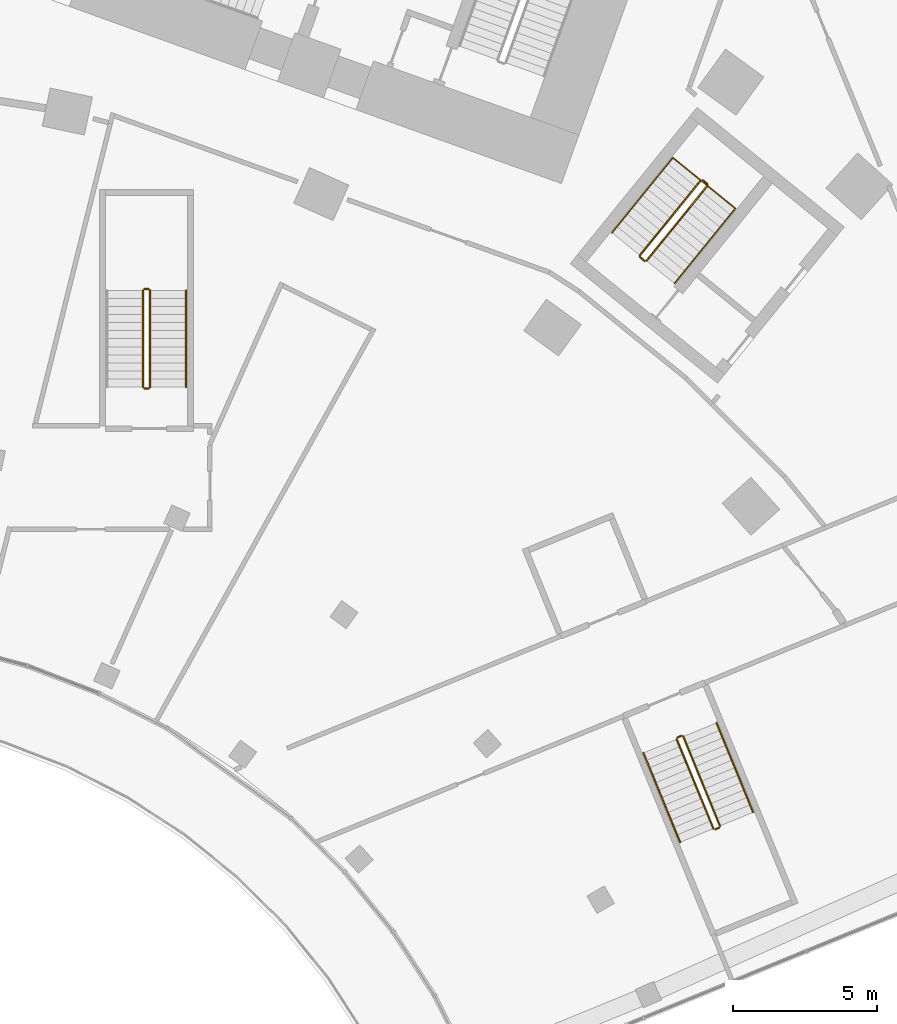
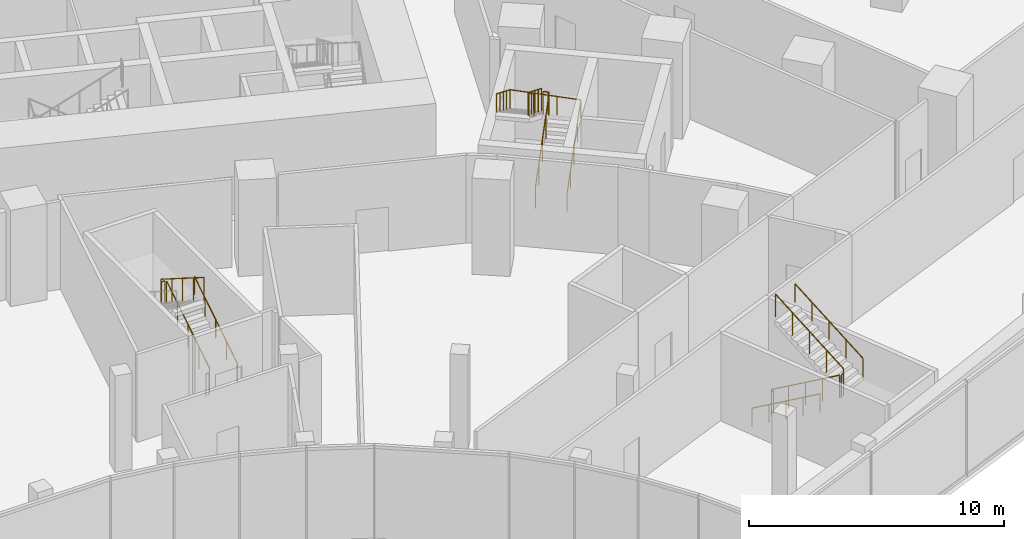
# One storey, part 36 of 39: 14 railings.
"""IFC4 building model written with IfcOpenShell, lengths in metres."""

from ifc_helpers import new_model, si_unit, direction, frame, origin, origin_2d, place, context, subcontext, project, spatial, circle, extrude, material, type_object, element, save


model = new_model("IFC4")

# Units and contexts
model_context = context("Model", 3, precision=1e-05, world=origin(), true_north=direction((0.0, 1.0)))
body_context = subcontext(model_context, "Body", "Model", "MODEL_VIEW")
ifc_project = project(units=[si_unit("LENGTHUNIT", "METRE"), si_unit("AREAUNIT", "SQUARE_METRE"), si_unit("VOLUMEUNIT", "CUBIC_METRE"), si_unit("PLANEANGLEUNIT", "RADIAN"), si_unit("MASSUNIT", "GRAM", prefix="KILO")], contexts=[model_context])

# Site, building, storey
site_placement = place(None, origin())
site = spatial("IfcSite", under=ifc_project, at=site_placement, CompositionType="ELEMENT")
building_placement = place(site_placement, origin())
building = spatial("IfcBuilding", under=site, at=building_placement, Name="Stone Belt Terrace Tower", CompositionType="ELEMENT")
storey_placement = place(building_placement, frame((0.0, 0.0, 16.199951171875)))
storey = spatial("IfcBuildingStorey", under=building, at=storey_placement, Name="L03", CompositionType="ELEMENT", Elevation=16.199951171875)

# Railings
ifc_material_1 = material(Name="Steel balustrade", Category="steel")
railing_type_1 = type_object("IfcRailingType", Name="Podium stair guard", PredefinedType="GUARDRAIL", material=ifc_material_1)
railing_1_placement = place(storey_placement, frame((30.445556640625, 21.63232421875, 0.177001953125)))
element("IfcRailing", 1, at=railing_1_placement, inside=storey, type_object=railing_type_1, Name="L03 PS3 stair guard 1", PredefinedType="GUARDRAIL", context=body_context, shape_type="SweptSolid", body=[
    extrude(circle(Radius=0.02392578125, at=origin_2d()), frame((0.0, 0.0, 1.076171875), z_axis=(0.320577273413, -0.782247859152, 0.534152130599), x_axis=(0.92531182595, 0.379207100089, 0.0)), (0.0, 0.0, 1.0), 3.974609375),
    extrude(circle(Radius=0.02099609375, at=origin_2d()), origin(), (0.0, 0.0, 1.0), 1.052001953125),
    extrude(circle(Radius=0.02099609375, at=origin_2d()), frame((0.318603515625, -0.77734375, 0.53076171875)), (0.0, 0.0, 1.0), 1.052001953125),
    extrude(circle(Radius=0.02099609375, at=origin_2d()), frame((0.63720703125, -1.5546875, 1.0615234375)), (0.0, 0.0, 1.0), 1.052001953125),
    extrude(circle(Radius=0.02099609375, at=origin_2d()), frame((0.95556640625, -2.331787109375, 1.59228515625)), (0.0, 0.0, 1.0), 1.052001953125),
    extrude(circle(Radius=0.02099609375, at=origin_2d()), frame((1.274169921875, -3.109130859375, 2.123046875)), (0.0, 0.0, 1.0), 1.052001953125),
])
railing_2_placement = place(storey_placement, frame((31.784912109375, 18.495849609375, 2.300048828125)))
element("IfcRailing", 2, at=railing_2_placement, inside=storey, type_object=railing_type_1, Name="L03 PS3 stair guard 2", PredefinedType="GUARDRAIL", context=body_context, shape_type="SweptSolid", body=[
    extrude(circle(Radius=0.02392578125, at=origin_2d()), frame((0.0, 0.0, 1.076171875), z_axis=(0.925417366351, 0.378949466362, 0.0), x_axis=(-0.378949466362, 0.925417366351, 0.0)), (0.0, 0.0, 1.0), 0.150146484375),
    extrude(circle(Radius=0.02099609375, at=origin_2d()), origin(), (0.0, 0.0, 1.0), 1.052001953125),
    extrude(circle(Radius=0.02099609375, at=origin_2d()), frame((0.138916015625, 0.056884765625, 0.0)), (0.0, 0.0, 1.0), 1.052001953125),
])
railing_3_placement = place(storey_placement, frame((31.951171875, 18.6181640625, 2.47705078125)))
element("IfcRailing", 3, at=railing_3_placement, inside=storey, type_object=railing_type_1, Name="L03 PS3 stair guard 3", PredefinedType="GUARDRAIL", context=body_context, shape_type="SweptSolid", body=[
    extrude(circle(Radius=0.02392578125, at=origin_2d()), frame((0.0, 0.0, 1.076171875), z_axis=(-0.320647790343, 0.782208613453, 0.534167276785), x_axis=(-0.925275877227, -0.379294807533, 0.0)), (0.0, 0.0, 1.0), 3.974609375),
    extrude(circle(Radius=0.02099609375, at=origin_2d()), origin(), (0.0, 0.0, 1.0), 1.052001953125),
    extrude(circle(Radius=0.02099609375, at=origin_2d()), frame((-0.318603515625, 0.77734375, 0.53076171875)), (0.0, 0.0, 1.0), 1.052001953125),
    extrude(circle(Radius=0.02099609375, at=origin_2d()), frame((-0.63720703125, 1.554443359375, 1.0615234375)), (0.0, 0.0, 1.0), 1.052001953125),
    extrude(circle(Radius=0.02099609375, at=origin_2d()), frame((-0.955810546875, 2.33154296875, 1.59228515625)), (0.0, 0.0, 1.0), 1.052001953125),
    extrude(circle(Radius=0.02099609375, at=origin_2d()), frame((-1.2744140625, 3.10888671875, 2.123046875)), (0.0, 0.0, 1.0), 1.052001953125),
])
railing_4_placement = place(storey_placement, frame((30.472900390625, 21.697509765625, 0.0)))
element("IfcRailing", 4, at=railing_4_placement, inside=storey, type_object=railing_type_1, Name="L03 PS3 stair guard 4", PredefinedType="GUARDRAIL", context=body_context, shape_type="SweptSolid", body=[
    extrude(circle(Radius=0.02392578125, at=origin_2d()), frame((0.0, 0.0, 1.076171875), z_axis=(0.925183283695, 0.379520607572, 0.0), x_axis=(-0.379520607572, 0.925183283695, 0.0)), (0.0, 0.0, 1.0), 0.14990234375),
    extrude(circle(Radius=0.02099609375, at=origin_2d()), origin(), (0.0, 0.0, 1.0), 1.052001953125),
    extrude(circle(Radius=0.02099609375, at=origin_2d()), frame((0.138671875, 0.056884765625, 0.0)), (0.0, 0.0, 1.0), 1.052001953125),
])
railing_5_placement = place(storey_placement, frame((12.125, 33.889892578125, 0.177001953125)))
element("IfcRailing", 5, at=railing_5_placement, inside=storey, type_object=railing_type_1, Name="L03 PS6 stair guard 1", PredefinedType="GUARDRAIL", context=body_context, shape_type="SweptSolid", body=[
    extrude(circle(Radius=0.02392578125, at=origin_2d()), frame((0.0, 0.0, 1.076171875), z_axis=(0.0, 0.845389635667, 0.534150132366), x_axis=(-1.0, 0.0, 0.0)), (0.0, 0.0, 1.0), 3.974609375),
    extrude(circle(Radius=0.02099609375, at=origin_2d()), origin(), (0.0, 0.0, 1.0), 1.052001953125),
    extrude(circle(Radius=0.02099609375, at=origin_2d()), frame((0.0, 0.840087890625, 0.53076171875)), (0.0, 0.0, 1.0), 1.052001953125),
    extrude(circle(Radius=0.02099609375, at=origin_2d()), frame((0.0, 1.68017578125, 1.0615234375)), (0.0, 0.0, 1.0), 1.052001953125),
    extrude(circle(Radius=0.02099609375, at=origin_2d()), frame((0.0, 2.52001953125, 1.59228515625)), (0.0, 0.0, 1.0), 1.052001953125),
    extrude(circle(Radius=0.02099609375, at=origin_2d()), frame((0.0, 3.360107421875, 2.123046875)), (0.0, 0.0, 1.0), 1.052001953125),
])
railing_6_placement = place(storey_placement, frame((12.074951171875, 37.300048828125, 2.300048828125)))
element("IfcRailing", 6, at=railing_6_placement, inside=storey, type_object=railing_type_1, Name="L03 PS6 stair guard 2", PredefinedType="GUARDRAIL", context=body_context, shape_type="SweptSolid", body=[
    extrude(circle(Radius=0.02392578125, at=origin_2d()), frame((0.0, 0.0, 1.076171875), z_axis=(-1.0, 0.0, 0.0), x_axis=(0.0, -1.0, 0.0)), (0.0, 0.0, 1.0), 0.14990234375),
    extrude(circle(Radius=0.02099609375, at=origin_2d()), origin(), (0.0, 0.0, 1.0), 1.052001953125),
    extrude(circle(Radius=0.02099609375, at=origin_2d()), frame((-0.14990234375, 0.0, 0.0)), (0.0, 0.0, 1.0), 1.052001953125),
])
railing_7_placement = place(storey_placement, frame((11.875, 37.25, 2.47705078125)))
element("IfcRailing", 7, at=railing_7_placement, inside=storey, type_object=railing_type_1, Name="L03 PS6 stair guard 3", PredefinedType="GUARDRAIL", context=body_context, shape_type="SweptSolid", body=[
    extrude(circle(Radius=0.02392578125, at=origin_2d()), frame((0.0, 0.0, 1.076171875), z_axis=(0.0, -0.845389635667, 0.534150132366), x_axis=(1.0, 0.0, 0.0)), (0.0, 0.0, 1.0), 3.974609375),
    extrude(circle(Radius=0.02099609375, at=origin_2d()), origin(), (0.0, 0.0, 1.0), 1.052001953125),
    extrude(circle(Radius=0.02099609375, at=origin_2d()), frame((0.0, -0.840087890625, 0.53076171875)), (0.0, 0.0, 1.0), 1.052001953125),
    extrude(circle(Radius=0.02099609375, at=origin_2d()), frame((0.0, -1.68017578125, 1.0615234375)), (0.0, 0.0, 1.0), 1.052001953125),
    extrude(circle(Radius=0.02099609375, at=origin_2d()), frame((0.0, -2.52001953125, 1.59228515625)), (0.0, 0.0, 1.0), 1.052001953125),
    extrude(circle(Radius=0.02099609375, at=origin_2d()), frame((0.0, -3.360107421875, 2.123046875)), (0.0, 0.0, 1.0), 1.052001953125),
])
railing_8_placement = place(storey_placement, frame((12.074951171875, 33.840087890625, 0.0)))
element("IfcRailing", 8, at=railing_8_placement, inside=storey, type_object=railing_type_1, Name="L03 PS6 stair guard 4", PredefinedType="GUARDRAIL", context=body_context, shape_type="SweptSolid", body=[
    extrude(circle(Radius=0.02392578125, at=origin_2d()), frame((0.0, 0.0, 1.076171875), z_axis=(-1.0, 0.0, 0.0), x_axis=(0.0, -1.0, 0.0)), (0.0, 0.0, 1.0), 0.14990234375),
    extrude(circle(Radius=0.02099609375, at=origin_2d()), origin(), (0.0, 0.0, 1.0), 1.052001953125),
    extrude(circle(Radius=0.02099609375, at=origin_2d()), frame((-0.14990234375, 0.0, 0.0)), (0.0, 0.0, 1.0), 1.052001953125),
])
ifc_material_2 = material(Name="Stainless steel handrail", Category="steel")
railing_type_2 = type_object("IfcRailingType", Name="Podium stair handrail", PredefinedType="HANDRAIL", material=ifc_material_2)
railing_9_placement = place(storey_placement, frame((29.288818359375, 21.158203125, 0.177001953125)))
element("IfcRailing", 9, at=railing_9_placement, inside=storey, type_object=railing_type_2, Name="L03 PS3 stair handrail 1", PredefinedType="HANDRAIL", context=body_context, shape_type="SweptSolid", body=[
    extrude(circle(Radius=0.02392578125, at=origin_2d()), frame((0.0, 0.0, 0.8759765625), z_axis=(0.320632384185, -0.78223245452, 0.534141611661), x_axis=(0.925286329636, 0.379269308261, 0.0)), (0.0, 0.0, 1.0), 3.974609375),
    extrude(circle(Radius=0.02099609375, at=origin_2d()), origin(), (0.0, 0.0, 1.0), 0.851806640625),
    extrude(circle(Radius=0.02099609375, at=origin_2d()), frame((0.318603515625, -0.77734375, 0.53076171875)), (0.0, 0.0, 1.0), 0.851806640625),
    extrude(circle(Radius=0.02099609375, at=origin_2d()), frame((0.63720703125, -1.5546875, 1.0615234375)), (0.0, 0.0, 1.0), 0.851806640625),
    extrude(circle(Radius=0.02099609375, at=origin_2d()), frame((0.955810546875, -2.331787109375, 1.59228515625)), (0.0, 0.0, 1.0), 0.851806640625),
    extrude(circle(Radius=0.02099609375, at=origin_2d()), frame((1.2744140625, -3.109130859375, 2.123046875)), (0.0, 0.0, 1.0), 0.851806640625),
])
railing_10_placement = place(storey_placement, frame((33.107666015625, 19.092041015625, 2.47705078125)))
element("IfcRailing", 10, at=railing_10_placement, inside=storey, type_object=railing_type_2, Name="L03 PS3 stair handrail 2", PredefinedType="HANDRAIL", context=body_context, shape_type="SweptSolid", body=[
    extrude(circle(Radius=0.02392578125, at=origin_2d()), frame((0.0, 0.0, 0.8759765625), z_axis=(-0.320577273413, 0.782247859152, 0.534152130599), x_axis=(-0.92531182595, -0.379207100089, 0.0)), (0.0, 0.0, 1.0), 3.974609375),
    extrude(circle(Radius=0.02099609375, at=origin_2d()), origin(), (0.0, 0.0, 1.0), 0.851806640625),
    extrude(circle(Radius=0.02099609375, at=origin_2d()), frame((-0.318603515625, 0.77734375, 0.53076171875)), (0.0, 0.0, 1.0), 0.851806640625),
    extrude(circle(Radius=0.02099609375, at=origin_2d()), frame((-0.63720703125, 1.5546875, 1.0615234375)), (0.0, 0.0, 1.0), 0.851806640625),
    extrude(circle(Radius=0.02099609375, at=origin_2d()), frame((-0.95556640625, 2.331787109375, 1.59228515625)), (0.0, 0.0, 1.0), 0.851806640625),
    extrude(circle(Radius=0.02099609375, at=origin_2d()), frame((-1.274169921875, 3.109130859375, 2.123046875)), (0.0, 0.0, 1.0), 0.851806640625),
])
railing_11_placement = place(storey_placement, frame((13.375, 33.889892578125, 0.177001953125)))
element("IfcRailing", 11, at=railing_11_placement, inside=storey, type_object=railing_type_2, Name="L03 PS6 stair handrail 1", PredefinedType="HANDRAIL", context=body_context, shape_type="SweptSolid", body=[
    extrude(circle(Radius=0.02392578125, at=origin_2d()), frame((0.0, 0.0, 0.8759765625), z_axis=(0.0, 0.845389635667, 0.534150132366), x_axis=(-1.0, 0.0, 0.0)), (0.0, 0.0, 1.0), 3.974609375),
    extrude(circle(Radius=0.02099609375, at=origin_2d()), origin(), (0.0, 0.0, 1.0), 0.851806640625),
    extrude(circle(Radius=0.02099609375, at=origin_2d()), frame((0.0, 0.840087890625, 0.53076171875)), (0.0, 0.0, 1.0), 0.851806640625),
    extrude(circle(Radius=0.02099609375, at=origin_2d()), frame((0.0, 1.68017578125, 1.0615234375)), (0.0, 0.0, 1.0), 0.851806640625),
    extrude(circle(Radius=0.02099609375, at=origin_2d()), frame((0.0, 2.52001953125, 1.59228515625)), (0.0, 0.0, 1.0), 0.851806640625),
    extrude(circle(Radius=0.02099609375, at=origin_2d()), frame((0.0, 3.360107421875, 2.123046875)), (0.0, 0.0, 1.0), 0.851806640625),
])
ifc_material_3 = material(Name="Structural steel C345", Category="steel")
railing_type_3 = type_object("IfcRailingType", Name="Stair guard 1100", PredefinedType="GUARDRAIL", material=ifc_material_3)
railing_12_placement = place(storey_placement, frame((29.39794921875, 38.281982421875, 0.177001953125)))
element("IfcRailing", 12, at=railing_12_placement, inside=storey, type_object=railing_type_3, Name="L03 ST3B stair guard 1", PredefinedType="GUARDRAIL", context=body_context, shape_type="SweptSolid", body=[
    extrude(circle(Radius=0.02392578125, at=origin_2d()), frame((0.0, 0.0, 1.076171875), z_axis=(0.532811519988, 0.656339761479, 0.534162898065), x_axis=(-0.776382860746, 0.63026157549, 0.0)), (0.0, 0.0, 1.0), 3.974609375),
    extrude(circle(Radius=0.02392578125, at=origin_2d()), frame((2.11767578125, 2.608642578125, 3.19921875), z_axis=(-0.103606084259, 0.994618408891, 0.0), x_axis=(-0.994618408891, -0.103606084259, 0.0)), (0.0, 0.0, 1.0), 0.07080078125),
    extrude(circle(Radius=0.02392578125, at=origin_2d()), frame((2.1103515625, 2.678955078125, 3.19921875), z_axis=(-0.775964699182, 0.630776335656, 0.0), x_axis=(-0.630776335656, -0.775964699182, 0.0)), (0.0, 0.0, 1.0), 0.2001953125),
    extrude(circle(Radius=0.02099609375, at=origin_2d()), origin(), (0.0, 0.0, 1.0), 1.052001953125),
    extrude(circle(Radius=0.02099609375, at=origin_2d()), frame((0.529296875, 0.652099609375, 0.53076171875)), (0.0, 0.0, 1.0), 1.052001953125),
    extrude(circle(Radius=0.02099609375, at=origin_2d()), frame((1.058837890625, 1.30419921875, 1.0615234375)), (0.0, 0.0, 1.0), 1.052001953125),
    extrude(circle(Radius=0.02099609375, at=origin_2d()), frame((1.58837890625, 1.95654296875, 1.59228515625)), (0.0, 0.0, 1.0), 1.052001953125),
    extrude(circle(Radius=0.02099609375, at=origin_2d()), frame((2.11767578125, 2.608642578125, 2.123046875)), (0.0, 0.0, 1.0), 1.052001953125),
    extrude(circle(Radius=0.02099609375, at=origin_2d()), frame((2.1103515625, 2.678955078125, 2.123046875)), (0.0, 0.0, 1.0), 1.052001953125),
    extrude(circle(Radius=0.02099609375, at=origin_2d()), frame((1.955078125, 2.80517578125, 2.123046875)), (0.0, 0.0, 1.0), 1.052001953125),
])
railing_13_placement = place(storey_placement, frame((31.28271484375, 41.079833984375, 2.47705078125)))
element("IfcRailing", 13, at=railing_13_placement, inside=storey, type_object=railing_type_3, Name="L03 ST3B stair guard 2", PredefinedType="GUARDRAIL", context=body_context, shape_type="SweptSolid", body=[
    extrude(circle(Radius=0.02392578125, at=origin_2d()), frame((0.0, 0.0, 1.076171875), z_axis=(-0.532790039182, -0.656374724314, 0.534141362777), x_axis=(0.776411721411, -0.63022602204, 0.0)), (0.0, 0.0, 1.0), 3.974609375),
    extrude(circle(Radius=0.02392578125, at=origin_2d()), frame((-2.11767578125, -2.60888671875, 3.19921875), z_axis=(0.103606084259, -0.994618408891, 0.0), x_axis=(0.994618408891, 0.103606084259, 0.0)), (0.0, 0.0, 1.0), 0.07080078125),
    extrude(circle(Radius=0.02392578125, at=origin_2d()), frame((-2.1103515625, -2.67919921875, 3.19921875), z_axis=(0.776561986372, -0.630040856868, 0.0), x_axis=(0.630040856868, 0.776561986372, 0.0)), (0.0, 0.0, 1.0), 0.199951171875),
    extrude(circle(Radius=0.02099609375, at=origin_2d()), origin(), (0.0, 0.0, 1.0), 1.052001953125),
    extrude(circle(Radius=0.02099609375, at=origin_2d()), frame((-0.529296875, -0.65234375, 0.53076171875)), (0.0, 0.0, 1.0), 1.052001953125),
    extrude(circle(Radius=0.02099609375, at=origin_2d()), frame((-1.058837890625, -1.304443359375, 1.0615234375)), (0.0, 0.0, 1.0), 1.052001953125),
    extrude(circle(Radius=0.02099609375, at=origin_2d()), frame((-1.58837890625, -1.95654296875, 1.59228515625)), (0.0, 0.0, 1.0), 1.052001953125),
    extrude(circle(Radius=0.02099609375, at=origin_2d()), frame((-2.11767578125, -2.60888671875, 2.123046875)), (0.0, 0.0, 1.0), 1.052001953125),
    extrude(circle(Radius=0.02099609375, at=origin_2d()), frame((-2.1103515625, -2.67919921875, 2.123046875)), (0.0, 0.0, 1.0), 1.052001953125),
    extrude(circle(Radius=0.02099609375, at=origin_2d()), frame((-1.955078125, -2.80517578125, 2.123046875)), (0.0, 0.0, 1.0), 1.052001953125),
])
railing_type_4 = type_object("IfcRailingType", Name="Stair handrail 900", PredefinedType="HANDRAIL", material=ifc_material_3)
railing_14_placement = place(storey_placement, frame((30.36865234375, 37.494140625, 0.177001953125)))
element("IfcRailing", 14, at=railing_14_placement, inside=storey, type_object=railing_type_4, Name="L03 ST3B stair handrail 1", PredefinedType="HANDRAIL", context=body_context, shape_type="SweptSolid", body=[
    extrude(circle(Radius=0.02392578125, at=origin_2d()), frame((0.0, 0.0, 0.8759765625), z_axis=(0.532746049304, 0.656396204642, 0.534158842932), x_axis=(-0.776447273909, 0.630182220345, 0.0)), (0.0, 0.0, 1.0), 3.974609375),
    extrude(circle(Radius=0.02392578125, at=origin_2d()), frame((2.117431640625, 2.60888671875, 2.9990234375), z_axis=(-0.774921747316, 0.628900557873, 0.063090204021), x_axis=(-0.630155936441, -0.776468605784, 0.0)), (0.0, 0.0, 1.0), 2.805419921875),
    extrude(circle(Radius=0.02392578125, at=origin_2d()), frame((-0.056640625, 4.373291015625, 3.17578125), z_axis=(-0.532767529742, -0.656361242395, 0.534180380334), x_axis=(0.776418415934, -0.630217774581, 0.0)), (0.0, 0.0, 1.0), 3.974365234375),
    extrude(circle(Radius=0.02099609375, at=origin_2d()), origin(), (0.0, 0.0, 1.0), 0.851806640625),
    extrude(circle(Radius=0.02099609375, at=origin_2d()), frame((0.529296875, 0.65234375, 0.53076171875)), (0.0, 0.0, 1.0), 0.851806640625),
    extrude(circle(Radius=0.02099609375, at=origin_2d()), frame((1.05859375, 1.304443359375, 1.0615234375)), (0.0, 0.0, 1.0), 0.851806640625),
    extrude(circle(Radius=0.02099609375, at=origin_2d()), frame((1.588134765625, 1.95654296875, 1.59228515625)), (0.0, 0.0, 1.0), 0.851806640625),
    extrude(circle(Radius=0.02099609375, at=origin_2d()), frame((2.117431640625, 2.60888671875, 2.123046875)), (0.0, 0.0, 1.0), 0.851806640625),
    extrude(circle(Radius=0.02099609375, at=origin_2d()), frame((1.392822265625, 3.197021484375, 2.18212890625)), (0.0, 0.0, 1.0), 0.851806640625),
    extrude(circle(Radius=0.02099609375, at=origin_2d()), frame((0.66796875, 3.78515625, 2.240966796875)), (0.0, 0.0, 1.0), 0.851806640625),
    extrude(circle(Radius=0.02099609375, at=origin_2d()), frame((-0.056640625, 4.373291015625, 2.300048828125)), (0.0, 0.0, 1.0), 0.851806640625),
    extrude(circle(Radius=0.02099609375, at=origin_2d()), frame((-0.5859375, 3.72119140625, 2.830810546875)), (0.0, 0.0, 1.0), 0.851806640625),
    extrude(circle(Radius=0.02099609375, at=origin_2d()), frame((-1.115234375, 3.06884765625, 3.361572265625)), (0.0, 0.0, 1.0), 0.851806640625),
    extrude(circle(Radius=0.02099609375, at=origin_2d()), frame((-1.644775390625, 2.416748046875, 3.892333984375)), (0.0, 0.0, 1.0), 0.851806640625),
    extrude(circle(Radius=0.02099609375, at=origin_2d()), frame((-2.174072265625, 1.7646484375, 4.423095703125)), (0.0, 0.0, 1.0), 0.851806640625),
])

save(model, "model.ifc")
